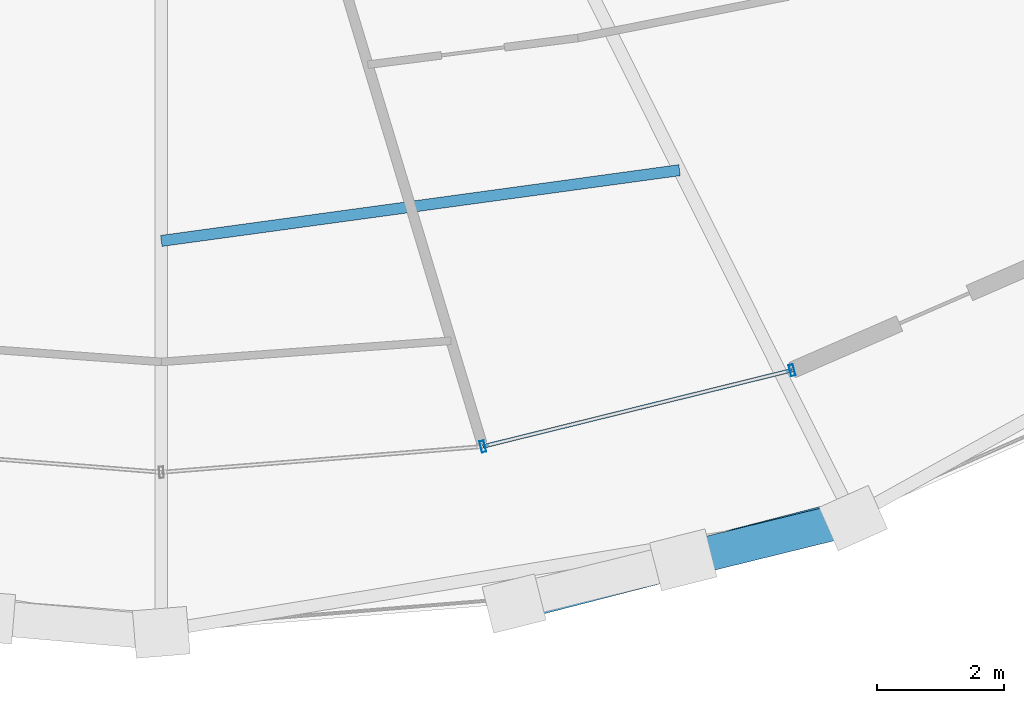
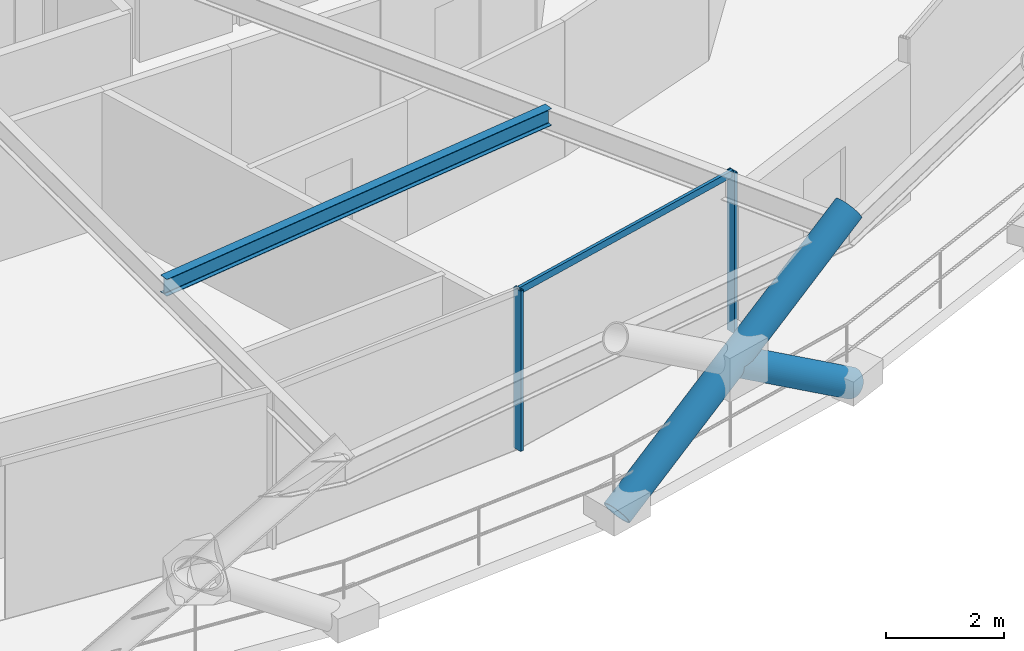
# One storey, part 4 of 21: 5 members, 1 beam, 1 element without a shape of its own.
"""IFC4 building model written with IfcOpenShell, lengths in metres."""

from ifc_helpers import new_model, si_unit, direction, frame, origin, origin_2d, place, context, subcontext, project, spatial, hollow_rectangle, hollow_circle, i_section, extrude, material, layer, layer_set, material_profile, profile_set, type_object, element, aggregate, save


model = new_model("IFC4")

# Units and contexts
model_context = context("Model", 3, precision=1e-05, world=origin(), true_north=direction((0.0, 1.0)))
body_context = subcontext(model_context, "Body", "Model", "MODEL_VIEW")
ifc_project = project(units=[si_unit("LENGTHUNIT", "METRE"), si_unit("AREAUNIT", "SQUARE_METRE"), si_unit("VOLUMEUNIT", "CUBIC_METRE"), si_unit("PLANEANGLEUNIT", "RADIAN"), si_unit("MASSUNIT", "GRAM", prefix="KILO")], contexts=[model_context])

# Site, building, storey
site_placement = place(None, origin())
site = spatial("IfcSite", under=ifc_project, at=site_placement, CompositionType="ELEMENT")
building_placement = place(site_placement, origin())
building = spatial("IfcBuilding", under=site, at=building_placement, Name="Veldorina Hangang Commons", CompositionType="ELEMENT")
storey_placement = place(building_placement, frame((0.0, 0.0, 138.800048828125)))
storey = spatial("IfcBuildingStorey", under=building, at=storey_placement, Name="L35", CompositionType="ELEMENT", Elevation=138.800048828125)

# Beam
ifc_material_1 = material(Name="Steel SM355-TMC", Category="steel")
ifc_material_profile_1 = material_profile(ifc_material_1, i_section(OverallWidth=0.175048828125, OverallDepth=0.35009765625, WebThickness=0.007080078125, FlangeThickness=0.010986328125, FilletRadius=0.012939453125, at=origin_2d()), Name="H-350x175x7x11")
ifc_profile_set_1 = profile_set([ifc_material_profile_1], Name="Steel SM355-TMC")
beam_type = type_object("IfcBeamType", Name="BM-JST350", PredefinedType="JOIST", material=ifc_profile_set_1)
beam_placement = place(storey_placement, frame((32.0, 6.540283203125, 3.175048828125), z_axis=(0.990807774407, 0.135277323208, 0.0), x_axis=(-0.135277323208, 0.990807774407, 0.0)))
element("IfcBeam", 1, at=beam_placement, inside=storey, type_object=beam_type, Name="L35 secondary floor joist 13", PredefinedType="JOIST", context=body_context, shape_type="SweptSolid", body=[
    extrude(i_section(OverallWidth=0.175048828125, OverallDepth=0.35009765625, WebThickness=0.007080078125, FlangeThickness=0.010986328125, FilletRadius=0.012939453125, at=origin_2d()), origin(), (0.0, 0.0, 1.0), 8.2314453125),
])

# Curtain wall, members
ifc_material_2 = material(Name="Glass Low-E Triple IGU", Category="glass")
ifc_layer = layer(ifc_material_2, 0.179931640625)
ifc_layer_set = layer_set([ifc_layer], Name="Glass Low-E Triple IGU")
curtain_wall_type = type_object("IfcCurtainWallType", Name="CW-SYS-Z2", PredefinedType="NOTDEFINED", material=ifc_layer_set)
curtain_wall_placement = place(storey_placement, origin())
curtain_wall = element("IfcCurtainWall", 2, at=curtain_wall_placement, inside=storey, type_object=curtain_wall_type, Name="L35 unitised curtain wall CW-L35-R1", PredefinedType="NOTDEFINED")
ifc_material_3 = material(Name="Aluminium Anodized AA6063-T6", Category="aluminium")
ifc_material_profile_2 = material_profile(ifc_material_3, hollow_rectangle(XDim=0.070068359375, YDim=0.179931640625, WallThickness=0.00390625, at=origin_2d()), Name="ALU-RHS-180x70x4")
ifc_profile_set_2 = profile_set([ifc_material_profile_2], Name="Aluminium Anodized AA6063-T6")
member_type_1 = type_object("IfcMemberType", Name="CW-MUL-180", PredefinedType="MULLION", material=ifc_profile_set_2)
member_1_placement = place(storey_placement, frame((37.060302734375, 3.3046875, 0.0), z_axis=(0.0, 0.0, 1.0), x_axis=(0.970875593344, 0.239584186139, 0.0)))
member_1 = element("IfcMember", 3, at=member_1_placement, type_object=member_type_1, Name="CW-L35-R1 vertical mullion 3", PredefinedType="MULLION", context=body_context, shape_type="SweptSolid", body=[
    extrude(hollow_rectangle(XDim=0.070068359375, YDim=0.179931640625, WallThickness=0.00390625, at=origin_2d()), origin(), (0.0, 0.0, 1.0), 3.31005859375),
])
member_2_placement = place(storey_placement, frame((41.92626953125, 4.50537109375, 0.0), z_axis=(0.0, 0.0, 1.0), x_axis=(-0.970875593344, -0.239584186139, 0.0)))
member_2 = element("IfcMember", 4, at=member_2_placement, type_object=member_type_1, Name="CW-L35-R1 vertical mullion 4", PredefinedType="MULLION", context=body_context, shape_type="SweptSolid", body=[
    extrude(hollow_rectangle(XDim=0.070068359375, YDim=0.179931640625, WallThickness=0.00390625, at=origin_2d()), origin(), (0.0, 0.0, 1.0), 3.31005859375),
])
ifc_material_profile_3 = material_profile(ifc_material_3, hollow_rectangle(XDim=0.06005859375, YDim=0.139892578125, WallThickness=0.00341796875, at=origin_2d()), Name="ALU-RHS-140x60x3.5")
ifc_profile_set_3 = profile_set([ifc_material_profile_3], Name="Aluminium Anodized AA6063-T6")
member_type_2 = type_object("IfcMemberType", Name="CW-TRN-140", PredefinedType="USERDEFINED", material=ifc_profile_set_3)
member_3_placement = place(storey_placement, frame((37.060302734375, 3.3046875, 3.27001953125), z_axis=(0.970880100909, 0.239565919235, 0.0), x_axis=(-0.239565919235, 0.970880100909, 0.0)))
member_3 = element("IfcMember", 5, at=member_3_placement, type_object=member_type_2, Name="CW-L35-R1 facet 4 transom 1", ObjectType="TRANSOM", PredefinedType="USERDEFINED", context=body_context, shape_type="SweptSolid", body=[
    extrude(hollow_rectangle(XDim=0.06005859375, YDim=0.139892578125, WallThickness=0.00341796875, at=origin_2d()), origin(), (0.0, 0.0, 1.0), 5.011962890625),
])
aggregate(curtain_wall, [member_1, member_2, member_3])

# Members
ifc_material_4 = material(Name="Steel SM420-TMC", Category="steel")
ifc_material_profile_4 = material_profile(ifc_material_4, hollow_circle(Radius=0.27490234375, WallThickness=0.028076171875, at=origin_2d()), Name="CHS-550x28")
ifc_profile_set_4 = profile_set([ifc_material_profile_4], Name="Steel SM420-TMC")
member_type_3 = type_object("IfcMemberType", Name="DG-CHS550", PredefinedType="BRACE", material=ifc_profile_set_4)
member_4_placement = place(storey_placement, frame((37.552001953125, 0.8330078125, 0.0), z_axis=(0.810024848497, 0.208879239995, 0.547931754798), x_axis=(-0.249699327644, 0.968323420028, 0.0)))
element("IfcMember", 6, at=member_4_placement, inside=storey, type_object=member_type_3, Name="L35 continuous perimeter diagrid brace 25", PredefinedType="BRACE", context=body_context, shape_type="SweptSolid", body=[
    extrude(hollow_circle(Radius=0.27490234375, WallThickness=0.028076171875, at=origin_2d()), origin(), (0.0, 0.0, 1.0), 6.56982421875),
])
member_5_placement = place(storey_placement, frame((42.890380859375, 2.17724609375, 0.0), z_axis=(-0.812811309548, -0.199735455481, 0.547214329943), x_axis=(0.238634696144, -0.971109407738, 0.0)))
element("IfcMember", 7, at=member_5_placement, inside=storey, type_object=member_type_3, Name="L35 split perimeter diagrid lower brace 26", PredefinedType="BRACE", context=body_context, shape_type="SweptSolid", body=[
    extrude(hollow_circle(Radius=0.27490234375, WallThickness=0.028076171875, at=origin_2d()), origin(), (0.0, 0.0, 1.0), 3.291748046875),
])

save(model, "model.ifc")
